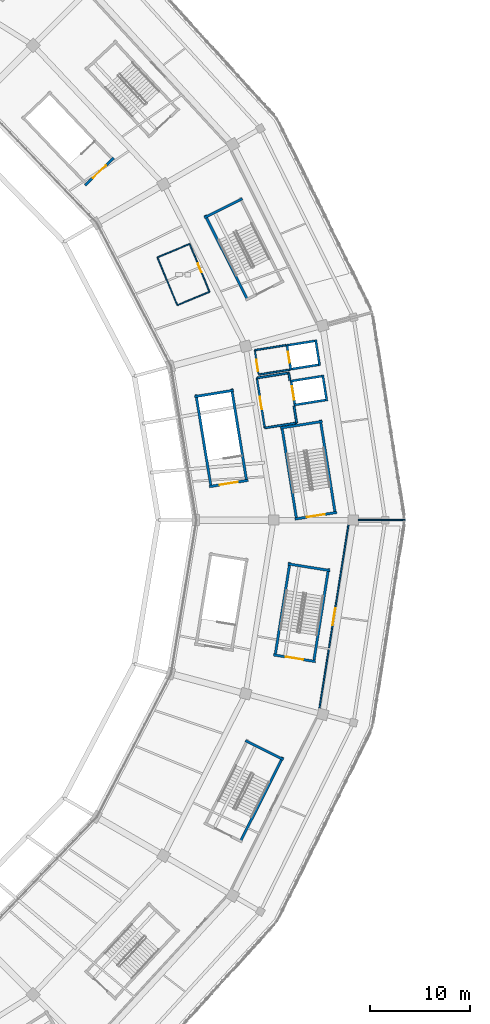
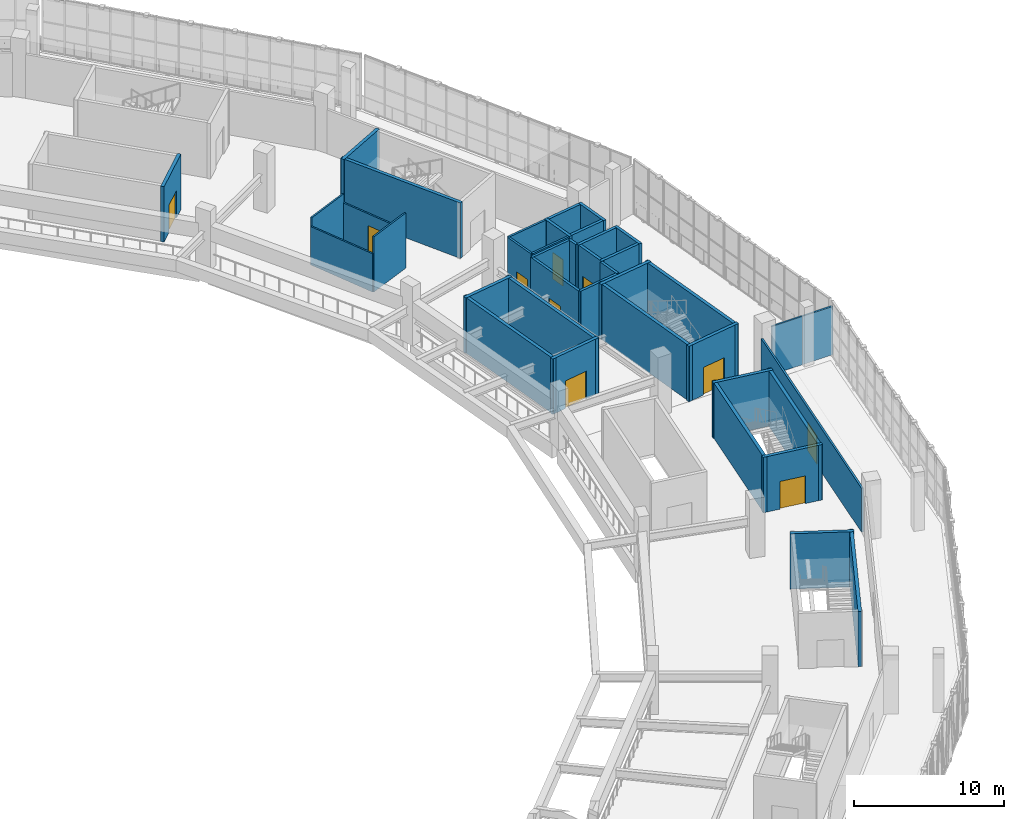
# One storey, part 105 of 179: 40 walls, 10 doors, 10 openings.
"""IFC4 building model written with IfcOpenShell, lengths in metres."""

from ifc_helpers import new_model, si_unit, direction, frame, frame_2d, origin, place, context, subcontext, project, spatial, rectangle, extrude, material, layer, layer_set, type_object, element, fill, save


model = new_model("IFC4")

# Units and contexts
model_context = context("Model", 3, precision=1e-05, world=origin(), true_north=direction((0.0, 1.0)))
body_context = subcontext(model_context, "Body", "Model", "MODEL_VIEW")
ifc_project = project(units=[si_unit("LENGTHUNIT", "METRE"), si_unit("AREAUNIT", "SQUARE_METRE"), si_unit("VOLUMEUNIT", "CUBIC_METRE"), si_unit("PLANEANGLEUNIT", "RADIAN"), si_unit("MASSUNIT", "GRAM", prefix="KILO")], contexts=[model_context])

# Site, building, storey
site_placement = place(None, origin())
site = spatial("IfcSite", under=ifc_project, at=site_placement, CompositionType="ELEMENT")
building_placement = place(site_placement, origin())
building = spatial("IfcBuilding", under=site, at=building_placement, Name="Zevraka Park Crest Stadium", CompositionType="ELEMENT")
storey_placement = place(building_placement, frame((0.0, 0.0, 10.199951171875)))
storey = spatial("IfcBuildingStorey", under=building, at=storey_placement, Name="L02", CompositionType="ELEMENT", Elevation=10.199951171875)

# Walls
ifc_material_1 = material(Name="Autoclaved aerated masonry blockwork", Category="masonry")
ifc_layer_1 = layer(ifc_material_1, 0.199951171875)
ifc_layer_set_1 = layer_set([ifc_layer_1], Name="Autoclaved aerated masonry blockwork")
wall_type_1 = type_object("IfcWallType", Name="IW01", PredefinedType="PARTITIONING", material=ifc_layer_set_1)
wall_1_placement = place(storey_placement, frame((195.81689453125, 106.743896484375, 0.0), z_axis=(0.0, 0.0, 1.0), x_axis=(0.157482870509, -0.987521719, 0.0)))
element("IfcWall", 1, at=wall_1_placement, inside=storey, type_object=wall_type_1, Name="Firefighting Lift Lobby Wall IW01 FL01 L02 BACKL", PredefinedType="PARTITIONING", context=body_context, shape_type="SweptSolid", body=[
    extrude(rectangle(XDim=0.750244140625, YDim=0.199951171875, at=frame_2d((0.375, 0.0))), origin(), (0.0, 0.0, 1.0), 4.47998046875),
])
wall_2_placement = place(storey_placement, frame((196.343017578125, 103.43603515625, 0.0), z_axis=(0.0, 0.0, 1.0), x_axis=(0.156960903537, -0.987604817101, 0.0)))
element("IfcWall", 2, at=wall_2_placement, inside=storey, type_object=wall_type_1, Name="Firefighting Lift Lobby Wall IW01 FL01 L02 BACKR", PredefinedType="PARTITIONING", context=body_context, shape_type="SweptSolid", body=[
    extrude(rectangle(XDim=1.72021484375, YDim=0.199951171875, at=frame_2d((0.860107421875, 0.0))), origin(), (0.0, 0.0, 1.0), 4.47998046875),
])
wall_3_placement = place(storey_placement, frame((195.81689453125, 106.743896484375, 0.0), z_axis=(0.0, 0.0, 1.0), x_axis=(-0.987633675984, -0.156779214382, 0.0)))
element("IfcWall", 3, at=wall_3_placement, inside=storey, type_object=wall_type_1, Name="Firefighting Lift Lobby Wall IW01 FL01 L02 LEFT", PredefinedType="PARTITIONING", context=body_context, shape_type="SweptSolid", body=[
    extrude(rectangle(XDim=3.239013671875, YDim=0.199951171875, at=frame_2d((1.61962890625, 0.0))), origin(), (0.0, 0.0, 1.0), 4.47998046875),
])
wall_4_placement = place(storey_placement, frame((196.613037109375, 101.737060546875, 0.0), z_axis=(0.0, 0.0, 1.0), x_axis=(-0.987629416648, -0.156806043797, 0.0)))
element("IfcWall", 4, at=wall_4_placement, inside=storey, type_object=wall_type_1, Name="Firefighting Lift Lobby Wall IW01 FL01 L02 RIGHT", PredefinedType="PARTITIONING", context=body_context, shape_type="SweptSolid", body=[
    extrude(rectangle(XDim=3.239990234375, YDim=0.199951171875, at=frame_2d((1.6201171875, 0.0))), origin(), (0.0, 0.0, 1.0), 4.47998046875),
])

# Wall, opening, door
wall_5_placement = place(storey_placement, frame((192.617919921875, 106.236083984375, 0.0), z_axis=(0.0, 0.0, 1.0), x_axis=(0.156842848291, -0.987623572491, 0.0)))
wall_5 = element("IfcWall", 5, at=wall_5_placement, inside=storey, type_object=wall_type_1, Name="Firefighting Lift Lobby Wall IW01 FL01 L02 FRONT", PredefinedType="PARTITIONING", context=body_context, shape_type="SweptSolid", body=[
    extrude(rectangle(XDim=5.06982421875, YDim=0.199951171875, at=frame_2d((2.534912109375, 0.0))), origin(), (0.0, 0.0, 1.0), 4.47998046875),
])
opening_1_placement = place(wall_5_placement, frame((1.909912109375, 0.0, 0.0)))
opening_1 = element("IfcOpeningElement", 6, at=opening_1_placement, cuts=wall_5, Name="Opening D-L02-285", PredefinedType="OPENING", context=body_context, shape_type="SweptSolid", body=[
    extrude(rectangle(XDim=1.25, YDim=2.199951171875, at=frame_2d((0.625, 1.10009765625))), frame((0.0, 0.10986328125, 0.0), z_axis=(0.0, -1.0, 0.0), x_axis=(1.0, 0.0, 0.0)), (0.0, 0.0, 1.0), 0.219970703125),
])
ifc_material_2 = material(Name="Solid-core hardwood timber leaf in steel frame", Category="steel")
door_type_1 = type_object("IfcDoorType", Name="DR07", OperationType="NOTDEFINED", PredefinedType="DOOR", material=ifc_material_2)
door_1_placement = place(opening_1_placement, origin())
door_1 = element("IfcDoor", 7, at=door_1_placement, inside=storey, type_object=door_type_1, Name="Firefighting Lift Lobby FL01 Door D-L02-285", OperationType="SINGLE_SWING_LEFT", OverallHeight=2.199951171875, OverallWidth=1.25, PredefinedType="DOOR", context=body_context, shape_type="SweptSolid", body=[
    extrude(rectangle(XDim=1.25, YDim=2.199951171875, at=frame_2d((0.625, 1.10009765625))), frame((0.0, 0.02490234375, 0.0), z_axis=(0.0, -1.0, 0.0), x_axis=(1.0, 0.0, 0.0)), (0.0, 0.0, 1.0), 0.050048828125),
])
fill(opening_1, door_1)

# Walls
ifc_material_3 = material(Name="Fire-rated twin-stud acoustic drywall", Category="other")
ifc_layer_2 = layer(ifc_material_3, 0.159912109375)
ifc_layer_set_2 = layer_set([ifc_layer_2], Name="Fire-rated twin-stud acoustic drywall")
wall_type_2 = type_object("IfcWallType", Name="IW02", PredefinedType="PARTITIONING", material=ifc_layer_set_2)
wall_6_placement = place(storey_placement, frame((195.547119140625, 109.527099609375, 0.0), z_axis=(0.0, 0.0, 1.0), x_axis=(-0.987632121619, -0.156789005818, 0.0)))
element("IfcWall", 8, at=wall_6_placement, inside=storey, type_object=wall_type_2, Name="Passenger Lift Lobby Wall IW02 PL01 L02 LEFT", PredefinedType="PARTITIONING", context=body_context, shape_type="SweptSolid", body=[
    extrude(rectangle(XDim=3.17041015625, YDim=0.159912109375, at=frame_2d((1.585205078125, 0.0))), origin(), (0.0, 0.0, 1.0), 4.47998046875),
])
wall_7_placement = place(storey_placement, frame((195.93603515625, 107.076904296875, 0.0), z_axis=(0.0, 0.0, 1.0), x_axis=(-0.987644043639, -0.156713889186, 0.0)))
element("IfcWall", 9, at=wall_7_placement, inside=storey, type_object=wall_type_2, Name="Passenger Lift Lobby Wall IW02 PL01 L02 RIGHT", PredefinedType="PARTITIONING", context=body_context, shape_type="SweptSolid", body=[
    extrude(rectangle(XDim=3.170166015625, YDim=0.159912109375, at=frame_2d((1.5849609375, 0.0))), origin(), (0.0, 0.0, 1.0), 4.47998046875),
])

# Wall, opening, door
wall_8_placement = place(storey_placement, frame((192.416015625, 109.030029296875, 0.0), z_axis=(0.0, 0.0, 1.0), x_axis=(0.156781258489, -0.987633351496, 0.0)))
wall_8 = element("IfcWall", 10, at=wall_8_placement, inside=storey, type_object=wall_type_2, Name="Passenger Lift Lobby Wall IW02 PL01 L02 FRONT", PredefinedType="PARTITIONING", context=body_context, shape_type="SweptSolid", body=[
    extrude(rectangle(XDim=2.480712890625, YDim=0.159912109375, at=frame_2d((1.240234375, 0.0))), origin(), (0.0, 0.0, 1.0), 4.47998046875),
])
opening_2_placement = place(wall_8_placement, frame((0.962890625, 0.0, 0.0)))
opening_2 = element("IfcOpeningElement", 11, at=opening_2_placement, cuts=wall_8, Name="Opening D-L02-291", PredefinedType="OPENING", context=body_context, shape_type="SweptSolid", body=[
    extrude(rectangle(XDim=1.14990234375, YDim=2.199951171875, at=frame_2d((0.574951171875, 1.10009765625))), frame((0.0, 0.08984375, 0.0), z_axis=(0.0, -1.0, 0.0), x_axis=(1.0, 0.0, 0.0)), (0.0, 0.0, 1.0), 0.179931640625),
])
ifc_material_4 = material(Name="Solid-core hardwood timber leaf in steel frame", Category="steel")
door_type_2 = type_object("IfcDoorType", Name="DR03", OperationType="NOTDEFINED", PredefinedType="DOOR", material=ifc_material_4)
door_2_placement = place(opening_2_placement, origin())
door_2 = element("IfcDoor", 12, at=door_2_placement, inside=storey, type_object=door_type_2, Name="Passenger Lift Lobby PL01 Door D-L02-291", OperationType="SINGLE_SWING_LEFT", OverallHeight=2.199951171875, OverallWidth=1.14990234375, PredefinedType="DOOR", context=body_context, shape_type="SweptSolid", body=[
    extrude(rectangle(XDim=1.14990234375, YDim=2.199951171875, at=frame_2d((0.574951171875, 1.10009765625))), frame((0.0, 0.02490234375, 0.0), z_axis=(0.0, -1.0, 0.0), x_axis=(1.0, 0.0, 0.0)), (0.0, 0.0, 1.0), 0.050048828125),
])
fill(opening_2, door_2)

ifc_material_5 = material(Name="Fire-rated twin-stud acoustic drywall", Category="other")
ifc_layer_3 = layer(ifc_material_5, 0.139892578125)
ifc_layer_set_3 = layer_set([ifc_layer_3], Name="Fire-rated twin-stud acoustic drywall")
wall_type_3 = type_object("IfcWallType", Name="IW03", PredefinedType="PARTITIONING", material=ifc_layer_set_3)
wall_9_placement = place(storey_placement, frame((198.89697265625, 73.1259765625, 0.0), z_axis=(0.0, 0.0, 1.0), x_axis=(0.156094739357, 0.987742087969, 0.0)))
wall_9 = element("IfcWall", 13, at=wall_9_placement, inside=storey, type_object=wall_type_3, Name="Interior Partition IW03 Stadium Administration Office L02", PredefinedType="PARTITIONING", context=body_context, shape_type="SweptSolid", body=[
    extrude(rectangle(XDim=18.591796875, YDim=0.139892578125, at=frame_2d((9.2958984375, 0.0))), origin(), (0.0, 0.0, 1.0), 3.56494140625),
])
opening_3_placement = place(wall_9_placement, frame((8.4208984375, 0.0, 0.0)))
opening_3 = element("IfcOpeningElement", 14, at=opening_3_placement, cuts=wall_9, Name="Opening D-L02-417", PredefinedType="OPENING", context=body_context, shape_type="SweptSolid", body=[
    extrude(rectangle(XDim=1.75, YDim=2.300048828125, at=frame_2d((0.875, 1.14990234375))), frame((0.0, 0.079833984375, 0.0), z_axis=(0.0, -1.0, 0.0), x_axis=(1.0, 0.0, 0.0)), (0.0, 0.0, 1.0), 0.159912109375),
])
ifc_material_6 = material(Name="Solid-core hardwood timber leaf in steel frame", Category="steel")
door_type_3 = type_object("IfcDoorType", Name="DR27", OperationType="NOTDEFINED", PredefinedType="DOOR", material=ifc_material_6)
door_3_placement = place(opening_3_placement, origin())
door_3 = element("IfcDoor", 15, at=door_3_placement, inside=storey, type_object=door_type_3, Name="Stadium Administration Office Door D-L02-417", OperationType="DOUBLE_DOOR_SINGLE_SWING", OverallHeight=2.300048828125, OverallWidth=1.75, PredefinedType="DOOR", context=body_context, shape_type="SweptSolid", body=[
    extrude(rectangle(XDim=1.75, YDim=2.300048828125, at=frame_2d((0.875, 1.14990234375))), frame((0.0, 0.02490234375, 0.0), z_axis=(0.0, -1.0, 0.0), x_axis=(1.0, 0.0, 0.0)), (0.0, 0.0, 1.0), 0.050048828125),
])
fill(opening_3, door_3)

# Walls
wall_10_placement = place(storey_placement, frame((202.81005859375, 92.0, 0.0), z_axis=(0.0, 0.0, 1.0), x_axis=(1.0, 0.0, 0.0)))
element("IfcWall", 16, at=wall_10_placement, inside=storey, type_object=wall_type_3, Name="Interior Partition IW03 Stadium Administration Office L02", PredefinedType="PARTITIONING", context=body_context, shape_type="SweptSolid", body=[
    extrude(rectangle(XDim=2.329833984375, YDim=0.139892578125, at=frame_2d((1.1650390625, 0.0))), origin(), (0.0, 0.0, 1.0), 3.9150390625),
])
wall_11_placement = place(storey_placement, frame((205.125, 92.0, 0.0), z_axis=(0.0, 0.0, 1.0), x_axis=(1.0, 0.0, 0.0)))
element("IfcWall", 17, at=wall_11_placement, inside=storey, type_object=wall_type_3, Name="Interior Partition IW03 Stadium Administration Office L02", PredefinedType="PARTITIONING", context=body_context, shape_type="SweptSolid", body=[
    extrude(rectangle(XDim=2.375, YDim=0.139892578125, at=frame_2d((1.1875, 0.0))), origin(), (0.0, 0.0, 1.0), 3.9150390625),
])
ifc_material_7 = material(Name="Moisture-resistant sanitary partition", Category="other")
ifc_layer_4 = layer(ifc_material_7, 0.1201171875)
ifc_layer_set_4 = layer_set([ifc_layer_4], Name="Moisture-resistant sanitary partition")
wall_type_4 = type_object("IfcWallType", Name="IW04", PredefinedType="PARTITIONING", material=ifc_layer_set_4)
wall_12_placement = place(storey_placement, frame((184.64208984375, 113.534912109375, 0.0), z_axis=(0.0, 0.0, 1.0), x_axis=(-0.38268766097, 0.923877780955, 0.0)))
element("IfcWall", 18, at=wall_12_placement, inside=storey, type_object=wall_type_4, Name="Sanitary Enclosure Wall IW04 Male WC L02-001-1", PredefinedType="PARTITIONING", context=body_context, shape_type="SweptSolid", body=[
    extrude(rectangle(XDim=5.199951171875, YDim=0.1201171875, at=frame_2d((2.60009765625, 0.0))), origin(), (0.0, 0.0, 1.0), 3.113037109375),
])
wall_13_placement = place(storey_placement, frame((182.652099609375, 118.339111328125, 0.0), z_axis=(0.0, 0.0, 1.0), x_axis=(0.923904592733, 0.382622926034, 0.0)))
element("IfcWall", 19, at=wall_13_placement, inside=storey, type_object=wall_type_4, Name="Sanitary Enclosure Wall IW04 Male WC L02-001-2", PredefinedType="PARTITIONING", context=body_context, shape_type="SweptSolid", body=[
    extrude(rectangle(XDim=3.499267578125, YDim=0.1201171875, at=frame_2d((1.74951171875, 0.0))), origin(), (0.0, 0.0, 1.0), 3.81494140625),
])

# Wall, opening, door
wall_14_placement = place(storey_placement, frame((185.885009765625, 119.677978515625, 0.0), z_axis=(0.0, 0.0, 1.0), x_axis=(0.382704261034, -0.923870904719, 0.0)))
wall_14 = element("IfcWall", 20, at=wall_14_placement, inside=storey, type_object=wall_type_4, Name="Sanitary Enclosure Wall IW04 Male WC L02-001-3", PredefinedType="PARTITIONING", context=body_context, shape_type="SweptSolid", body=[
    extrude(rectangle(XDim=5.19970703125, YDim=0.1201171875, at=frame_2d((2.599853515625, 0.0))), origin(), (0.0, 0.0, 1.0), 3.113037109375),
])
opening_4_placement = place(wall_14_placement, frame((2.125, 0.0, 0.0)))
opening_4 = element("IfcOpeningElement", 21, at=opening_4_placement, cuts=wall_14, Name="Opening D-L02-343", PredefinedType="OPENING", context=body_context, shape_type="SweptSolid", body=[
    extrude(rectangle(XDim=0.949951171875, YDim=2.14990234375, at=frame_2d((0.47509765625, 1.074951171875))), frame((0.0, 0.070068359375, 0.0), z_axis=(0.0, -1.0, 0.0), x_axis=(1.0, 0.0, 0.0)), (0.0, 0.0, 1.0), 0.14013671875),
])
ifc_material_8 = material(Name="Solid-core hardwood timber leaf in steel frame", Category="steel")
door_type_4 = type_object("IfcDoorType", Name="DR08", OperationType="NOTDEFINED", PredefinedType="DOOR", material=ifc_material_8)
door_4_placement = place(opening_4_placement, origin())
door_4 = element("IfcDoor", 22, at=door_4_placement, inside=storey, type_object=door_type_4, Name="Male WC Door D-L02-343", OperationType="SINGLE_SWING_LEFT", OverallHeight=2.14990234375, OverallWidth=0.949951171875, PredefinedType="DOOR", context=body_context, shape_type="SweptSolid", body=[
    extrude(rectangle(XDim=0.949951171875, YDim=2.14990234375, at=frame_2d((0.47509765625, 1.074951171875))), frame((0.0, 0.02490234375, 0.0), z_axis=(0.0, -1.0, 0.0), x_axis=(1.0, 0.0, 0.0)), (0.0, 0.0, 1.0), 0.050048828125),
])
fill(opening_4, door_4)

# Walls
wall_15_placement = place(storey_placement, frame((187.875, 114.8740234375, 0.0), z_axis=(0.0, 0.0, 1.0), x_axis=(-0.923879927009, -0.382682479961, 0.0)))
element("IfcWall", 23, at=wall_15_placement, inside=storey, type_object=wall_type_4, Name="Sanitary Enclosure Wall IW04 Male WC L02-001-4", PredefinedType="PARTITIONING", context=body_context, shape_type="SweptSolid", body=[
    extrude(rectangle(XDim=3.499267578125, YDim=0.1201171875, at=frame_2d((1.74951171875, 0.0))), origin(), (0.0, 0.0, 1.0), 4.47998046875),
])
ifc_material_9 = material(Name="Concrete C40/50", Category="concrete")
ifc_layer_5 = layer(ifc_material_9, 0.25)
ifc_layer_set_5 = layer_set([ifc_layer_5], Name="Concrete C40/50")
wall_type_5 = type_object("IfcWallType", Name="SW01", PredefinedType="SHEAR", material=ifc_layer_set_5)
for number, where, z_axis, x_axis, name in (
    (24, (200.486328125, 92.611572265625, 0.0), (0.0, 0.0, 1.0), (-0.157268610044, 0.987555863886, 0.0), "Stair Core Shear Wall SW01 ST01 L02 left"),
    (25, (195.11328125, 101.426513671875, 0.0), (0.0, 0.0, 1.0), (0.157243678356, -0.987559833943, 0.0), "Stair Core Shear Wall SW01 ST01 L02 right"),
):
    element("IfcWall", number, at=place(storey_placement, frame(where, z_axis=z_axis, x_axis=x_axis)), inside=storey, type_object=wall_type_5, Name=name, PredefinedType="SHEAR", context=body_context, shape_type="SweptSolid", body=[
        extrude(rectangle(XDim=9.55029296875, YDim=0.25, at=frame_2d((4.775146484375, 0.0))), origin(), (0.0, 0.0, 1.0), 4.5),
    ])

# Wall, opening, door
wall_16_placement = place(storey_placement, frame((196.427490234375, 92.092041015625, 0.0), z_axis=(0.0, 0.0, 1.0), x_axis=(0.987557660991, 0.157257324847, 0.0)))
wall_16 = element("IfcWall", 26, at=wall_16_placement, inside=storey, type_object=wall_type_5, Name="Stair Core Shear Wall SW01 ST01 L02 near", PredefinedType="SHEAR", context=body_context, shape_type="SweptSolid", body=[
    extrude(rectangle(XDim=4.260009765625, YDim=0.25, at=frame_2d((2.1298828125, 0.0))), origin(), (0.0, 0.0, 1.0), 4.5),
])
opening_5_placement = place(wall_16_placement, frame((1.22998046875, 0.0, 0.0)))
opening_5 = element("IfcOpeningElement", 27, at=opening_5_placement, cuts=wall_16, Name="Opening D-L02-004", PredefinedType="OPENING", context=body_context, shape_type="SweptSolid", body=[
    extrude(rectangle(XDim=1.800048828125, YDim=2.25, at=frame_2d((0.89990234375, 1.125))), frame((0.0, 0.135009765625, 0.0), z_axis=(0.0, -1.0, 0.0), x_axis=(1.0, 0.0, 0.0)), (0.0, 0.0, 1.0), 0.27001953125),
])
ifc_material_10 = material(Name="Solid-core hardwood timber leaf in steel frame", Category="steel")
door_type_5 = type_object("IfcDoorType", Name="DR04", OperationType="NOTDEFINED", PredefinedType="DOOR", material=ifc_material_10)
door_5_placement = place(opening_5_placement, origin())
door_5 = element("IfcDoor", 28, at=door_5_placement, inside=storey, type_object=door_type_5, Name="Protected Stair Entry Door ST01 L02", OperationType="DOUBLE_DOOR_SINGLE_SWING", OverallHeight=2.25, OverallWidth=1.800048828125, PredefinedType="DOOR", context=body_context, shape_type="SweptSolid", body=[
    extrude(rectangle(XDim=1.800048828125, YDim=2.25, at=frame_2d((0.89990234375, 1.125))), frame((0.0, 0.02490234375, 0.0), z_axis=(0.0, -1.0, 0.0), x_axis=(1.0, 0.0, 0.0)), (0.0, 0.0, 1.0), 0.050048828125),
])
fill(opening_5, door_5)

# Walls
wall_17_placement = place(storey_placement, frame((199.181396484375, 101.886962890625, 0.0), z_axis=(0.0, 0.0, 1.0), x_axis=(-0.987557660991, -0.157257324847, 0.0)))
element("IfcWall", 29, at=wall_17_placement, inside=storey, type_object=wall_type_5, Name="Stair Core Shear Wall SW01 ST01 L02 far", PredefinedType="SHEAR", context=body_context, shape_type="SweptSolid", body=[
    extrude(rectangle(XDim=4.260009765625, YDim=0.25, at=frame_2d((2.1298828125, 0.0))), origin(), (0.0, 0.0, 1.0), 4.5),
])
wall_18_placement = place(storey_placement, frame((187.43212890625, 122.556884765625, 0.0), z_axis=(0.0, 0.0, 1.0), x_axis=(0.447919041961, -0.894074119885, 0.0)))
element("IfcWall", 30, at=wall_18_placement, inside=storey, type_object=wall_type_5, Name="Stair Core Shear Wall SW01 ST02 L02 right", PredefinedType="SHEAR", context=body_context, shape_type="SweptSolid", body=[
    extrude(rectangle(XDim=9.5498046875, YDim=0.25, at=frame_2d((4.77490234375, 0.0))), origin(), (0.0, 0.0, 1.0), 4.5),
])
wall_19_placement = place(storey_placement, frame((191.171875, 124.223388671875, 0.0), z_axis=(0.0, 0.0, 1.0), x_axis=(-0.89409454548, -0.447878268888, 0.0)))
element("IfcWall", 31, at=wall_19_placement, inside=storey, type_object=wall_type_5, Name="Stair Core Shear Wall SW01 ST02 L02 far", PredefinedType="SHEAR", context=body_context, shape_type="SweptSolid", body=[
    extrude(rectangle(XDim=4.260009765625, YDim=0.25, at=frame_2d((2.1298828125, 0.0))), origin(), (0.0, 0.0, 1.0), 4.5),
])
wall_20_placement = place(storey_placement, frame((190.9365234375, 59.686767578125, 0.0), z_axis=(0.0, 0.0, 1.0), x_axis=(0.447919041961, 0.894074119885, 0.0)))
element("IfcWall", 32, at=wall_20_placement, inside=storey, type_object=wall_type_5, Name="Stair Core Shear Wall SW01 ST23 L02 left", PredefinedType="SHEAR", context=body_context, shape_type="SweptSolid", body=[
    extrude(rectangle(XDim=9.5498046875, YDim=0.25, at=frame_2d((4.77490234375, 0.0))), origin(), (0.0, 0.0, 1.0), 4.5),
])
wall_21_placement = place(storey_placement, frame((195.283203125, 67.983642578125, 0.0), z_axis=(0.0, 0.0, 1.0), x_axis=(-0.894083048484, 0.447901219481, 0.0)))
element("IfcWall", 33, at=wall_21_placement, inside=storey, type_object=wall_type_5, Name="Stair Core Shear Wall SW01 ST23 L02 far", PredefinedType="SHEAR", context=body_context, shape_type="SweptSolid", body=[
    extrude(rectangle(XDim=4.259765625, YDim=0.25, at=frame_2d((2.1298828125, 0.0))), origin(), (0.0, 0.0, 1.0), 4.5),
])
for number, where, z_axis, x_axis, name in (
    (34, (198.30859375, 77.71044921875, 0.0), (0.0, 0.0, 1.0), (0.157272580499, 0.987555231581, 0.0), "Stair Core Shear Wall SW01 ST24 L02 left"),
    (35, (195.939208984375, 87.758056640625, 0.0), (0.0, 0.0, 1.0), (-0.157247648214, -0.987559201836, 0.0), "Stair Core Shear Wall SW01 ST24 L02 right"),
):
    element("IfcWall", number, at=place(storey_placement, frame(where, z_axis=z_axis, x_axis=x_axis)), inside=storey, type_object=wall_type_5, Name=name, PredefinedType="SHEAR", context=body_context, shape_type="SweptSolid", body=[
        extrude(rectangle(XDim=9.550048828125, YDim=0.25, at=frame_2d((4.77490234375, 0.0))), origin(), (0.0, 0.0, 1.0), 4.5),
    ])

# Wall, opening, door
wall_22_placement = place(storey_placement, frame((194.289306640625, 78.477294921875, 0.0), z_axis=(0.0, 0.0, 1.0), x_axis=(0.987548759282, -0.157313216355, 0.0)))
wall_22 = element("IfcWall", 36, at=wall_22_placement, inside=storey, type_object=wall_type_5, Name="Stair Core Shear Wall SW01 ST24 L02 near", PredefinedType="SHEAR", context=body_context, shape_type="SweptSolid", body=[
    extrude(rectangle(XDim=4.260009765625, YDim=0.25, at=frame_2d((2.1298828125, 0.0))), origin(), (0.0, 0.0, 1.0), 4.5),
])
opening_6_placement = place(wall_22_placement, frame((1.22998046875, 0.0, 0.0)))
opening_6 = element("IfcOpeningElement", 37, at=opening_6_placement, cuts=wall_22, Name="Opening D-L02-143", PredefinedType="OPENING", context=body_context, shape_type="SweptSolid", body=[
    extrude(rectangle(XDim=1.800048828125, YDim=2.25, at=frame_2d((0.89990234375, 1.125))), frame((0.0, 0.135009765625, 0.0), z_axis=(0.0, -1.0, 0.0), x_axis=(1.0, 0.0, 0.0)), (0.0, 0.0, 1.0), 0.27001953125),
])
door_6_placement = place(opening_6_placement, origin())
door_6 = element("IfcDoor", 38, at=door_6_placement, inside=storey, type_object=door_type_5, Name="Protected Stair Entry Door ST24 L02", OperationType="DOUBLE_DOOR_SINGLE_SWING", OverallHeight=2.25, OverallWidth=1.800048828125, PredefinedType="DOOR", context=body_context, shape_type="SweptSolid", body=[
    extrude(rectangle(XDim=1.800048828125, YDim=2.25, at=frame_2d((0.89990234375, 1.125))), frame((0.0, 0.02490234375, 0.0), z_axis=(0.0, -1.0, 0.0), x_axis=(1.0, 0.0, 0.0)), (0.0, 0.0, 1.0), 0.050048828125),
])
fill(opening_6, door_6)

# Walls
wall_23_placement = place(storey_placement, frame((199.94921875, 86.932373046875, 0.0), z_axis=(0.0, 0.0, 1.0), x_axis=(-0.987556243614, 0.157266225551, 0.0)))
element("IfcWall", 39, at=wall_23_placement, inside=storey, type_object=wall_type_5, Name="Stair Core Shear Wall SW01 ST24 L02 far", PredefinedType="SHEAR", context=body_context, shape_type="SweptSolid", body=[
    extrude(rectangle(XDim=4.259765625, YDim=0.25, at=frame_2d((2.1298828125, 0.0))), origin(), (0.0, 0.0, 1.0), 4.5),
])
wall_24_placement = place(storey_placement, frame((191.610107421875, 95.83203125, 0.0), z_axis=(0.0, 0.0, 1.0), x_axis=(-0.160694331821, 0.987004220721, 0.0)))
element("IfcWall", 40, at=wall_24_placement, inside=storey, type_object=wall_type_5, Name="Stair Core Shear Wall SW01 ST33 L02 left", PredefinedType="SHEAR", context=body_context, shape_type="SweptSolid", body=[
    extrude(rectangle(XDim=9.449951171875, YDim=0.25, at=frame_2d((4.72509765625, 0.0))), origin(), (0.0, 0.0, 1.0), 4.5),
])
wall_25_placement = place(storey_placement, frame((186.5185546875, 104.57763671875, 0.0), z_axis=(0.0, 0.0, 1.0), x_axis=(0.160690234322, -0.987004887827, 0.0)))
element("IfcWall", 41, at=wall_25_placement, inside=storey, type_object=wall_type_5, Name="Stair Core Shear Wall SW01 ST33 L02 right", PredefinedType="SHEAR", context=body_context, shape_type="SweptSolid", body=[
    extrude(rectangle(XDim=9.4501953125, YDim=0.25, at=frame_2d((4.72509765625, 0.0))), origin(), (0.0, 0.0, 1.0), 4.5),
])

# Wall, opening, door
wall_26_placement = place(storey_placement, frame((187.849365234375, 95.346435546875, 0.0), z_axis=(0.0, 0.0, 1.0), x_axis=(0.986998628025, 0.160728679072, 0.0)))
wall_26 = element("IfcWall", 42, at=wall_26_placement, inside=storey, type_object=wall_type_5, Name="Stair Core Shear Wall SW01 ST33 L02 near", PredefinedType="SHEAR", context=body_context, shape_type="SweptSolid", body=[
    extrude(rectangle(XDim=3.9599609375, YDim=0.25, at=frame_2d((1.97998046875, 0.0))), origin(), (0.0, 0.0, 1.0), 4.5),
])
opening_7_placement = place(wall_26_placement, frame((1.080078125, 0.0, 0.0)))
opening_7 = element("IfcOpeningElement", 43, at=opening_7_placement, cuts=wall_26, Name="Opening D-L02-188", PredefinedType="OPENING", context=body_context, shape_type="SweptSolid", body=[
    extrude(rectangle(XDim=1.800048828125, YDim=2.25, at=frame_2d((0.89990234375, 1.125))), frame((0.0, 0.135009765625, 0.0), z_axis=(0.0, -1.0, 0.0), x_axis=(1.0, 0.0, 0.0)), (0.0, 0.0, 1.0), 0.27001953125),
])
door_7_placement = place(opening_7_placement, origin())
door_7 = element("IfcDoor", 44, at=door_7_placement, inside=storey, type_object=door_type_5, Name="Protected Stair Entry Door ST33 L02", OperationType="DOUBLE_DOOR_SINGLE_SWING", OverallHeight=2.25, OverallWidth=1.800048828125, PredefinedType="DOOR", context=body_context, shape_type="SweptSolid", body=[
    extrude(rectangle(XDim=1.800048828125, YDim=2.25, at=frame_2d((0.89990234375, 1.125))), frame((0.0, 0.02490234375, 0.0), z_axis=(0.0, -1.0, 0.0), x_axis=(1.0, 0.0, 0.0)), (0.0, 0.0, 1.0), 0.050048828125),
])
fill(opening_7, door_7)

# Wall
wall_27_placement = place(storey_placement, frame((190.2890625, 105.00390625, 0.0), z_axis=(0.0, 0.0, 1.0), x_axis=(-0.987009998221, -0.160658841684, 0.0)))
element("IfcWall", 45, at=wall_27_placement, inside=storey, type_object=wall_type_5, Name="Stair Core Shear Wall SW01 ST33 L02 far", PredefinedType="SHEAR", context=body_context, shape_type="SweptSolid", body=[
    extrude(rectangle(XDim=3.960205078125, YDim=0.25, at=frame_2d((1.97998046875, 0.0))), origin(), (0.0, 0.0, 1.0), 4.5),
])

# Wall, opening, door
wall_28_placement = place(storey_placement, frame((175.396728515625, 125.565673828125, 0.0), z_axis=(0.0, 0.0, 1.0), x_axis=(0.725390288694, 0.688337801569, 0.0)))
wall_28 = element("IfcWall", 46, at=wall_28_placement, inside=storey, type_object=wall_type_5, Name="Stair Core Shear Wall SW01 ST34 L02 near", PredefinedType="SHEAR", context=body_context, shape_type="SweptSolid", body=[
    extrude(rectangle(XDim=3.9599609375, YDim=0.25, at=frame_2d((1.97998046875, 0.0))), origin(), (0.0, 0.0, 1.0), 4.5),
])
opening_8_placement = place(wall_28_placement, frame((1.080078125, 0.0, 0.0)))
opening_8 = element("IfcOpeningElement", 47, at=opening_8_placement, cuts=wall_28, Name="Opening D-L02-192", PredefinedType="OPENING", context=body_context, shape_type="SweptSolid", body=[
    extrude(rectangle(XDim=1.800048828125, YDim=2.25, at=frame_2d((0.89990234375, 1.125))), frame((0.0, 0.135009765625, 0.0), z_axis=(0.0, -1.0, 0.0), x_axis=(1.0, 0.0, 0.0)), (0.0, 0.0, 1.0), 0.27001953125),
])
door_8_placement = place(opening_8_placement, origin())
door_8 = element("IfcDoor", 48, at=door_8_placement, inside=storey, type_object=door_type_5, Name="Protected Stair Entry Door ST34 L02", OperationType="DOUBLE_DOOR_SINGLE_SWING", OverallHeight=2.25, OverallWidth=1.800048828125, PredefinedType="DOOR", context=body_context, shape_type="SweptSolid", body=[
    extrude(rectangle(XDim=1.800048828125, YDim=2.25, at=frame_2d((0.89990234375, 1.125))), frame((0.0, 0.02490234375, 0.0), z_axis=(0.0, -1.0, 0.0), x_axis=(1.0, 0.0, 0.0)), (0.0, 0.0, 1.0), 0.050048828125),
])
fill(opening_8, door_8)

# Walls
ifc_material_11 = material(Name="Concrete C40/50", Category="concrete")
ifc_layer_6 = layer(ifc_material_11, 0.219970703125)
ifc_layer_set_6 = layer_set([ifc_layer_6], Name="Concrete C40/50")
wall_type_6 = type_object("IfcWallType", Name="SW02", PredefinedType="SHEAR", material=ifc_layer_set_6)
wall_29_placement = place(storey_placement, frame((199.635009765625, 103.93701171875, 0.0), z_axis=(0.0, 0.0, 1.0), x_axis=(-0.156807626334, 0.987629165387, 0.0)))
element("IfcWall", 49, at=wall_29_placement, inside=storey, type_object=wall_type_6, Name="Lift Shaft Shear Wall SW02 FL01 L02-1", PredefinedType="SHEAR", context=body_context, shape_type="SweptSolid", body=[
    extrude(rectangle(XDim=2.640625, YDim=0.219970703125, at=frame_2d((1.3203125, 0.0))), origin(), (0.0, 0.0, 1.0), 4.5),
])
wall_30_placement = place(storey_placement, frame((199.346923828125, 106.452880859375, 0.0), z_axis=(0.0, 0.0, 1.0), x_axis=(-0.987703627881, -0.156337914372, 0.0)))
element("IfcWall", 50, at=wall_30_placement, inside=storey, type_object=wall_type_6, Name="Lift Shaft Shear Wall SW02 FL01 L02-2", PredefinedType="SHEAR", context=body_context, shape_type="SweptSolid", body=[
    extrude(rectangle(XDim=3.440185546875, YDim=0.219970703125, at=frame_2d((1.72021484375, 0.0))), origin(), (0.0, 0.0, 1.0), 4.5),
])

# Wall, opening, door
wall_31_placement = place(storey_placement, frame((196.041015625, 106.041015625, 0.0), z_axis=(0.0, 0.0, 1.0), x_axis=(0.156807626334, -0.987629165387, 0.0)))
wall_31 = element("IfcWall", 51, at=wall_31_placement, inside=storey, type_object=wall_type_6, Name="Lift Shaft Shear Wall SW02 FL01 L02-3", PredefinedType="SHEAR", context=body_context, shape_type="SweptSolid", body=[
    extrude(rectangle(XDim=2.640625, YDim=0.219970703125, at=frame_2d((1.3203125, 0.0))), origin(), (0.0, 0.0, 1.0), 4.5),
])
opening_9_placement = place(wall_31_placement, frame((0.6201171875, 0.0, 0.0)))
opening_9 = element("IfcOpeningElement", 52, at=opening_9_placement, cuts=wall_31, Name="Opening LD-FL01-L02", PredefinedType="OPENING", context=body_context, shape_type="SweptSolid", body=[
    extrude(rectangle(XDim=1.39990234375, YDim=2.199951171875, at=frame_2d((0.699951171875, 1.10009765625))), frame((0.0, 0.119873046875, 0.0), z_axis=(0.0, -1.0, 0.0), x_axis=(1.0, 0.0, 0.0)), (0.0, 0.0, 1.0), 0.239990234375),
])
ifc_material_12 = material(Name="Brushed stainless steel lift landing doors", Category="steel")
door_type_6 = type_object("IfcDoorType", Name="LD01", OperationType="NOTDEFINED", PredefinedType="DOOR", material=ifc_material_12)
door_9_placement = place(opening_9_placement, origin())
door_9 = element("IfcDoor", 53, at=door_9_placement, inside=storey, type_object=door_type_6, Name="Lift Sliding Landing Door LD-FL01-L02", OperationType="SLIDING_TO_LEFT", OverallHeight=2.199951171875, OverallWidth=1.39990234375, PredefinedType="DOOR", context=body_context, shape_type="SweptSolid", body=[
    extrude(rectangle(XDim=1.39990234375, YDim=2.199951171875, at=frame_2d((0.699951171875, 1.10009765625))), frame((0.0, 0.02490234375, 0.0), z_axis=(0.0, -1.0, 0.0), x_axis=(1.0, 0.0, 0.0)), (0.0, 0.0, 1.0), 0.050048828125),
])
fill(opening_9, door_9)

# Walls
wall_32_placement = place(storey_placement, frame((196.3291015625, 103.52490234375, 0.0), z_axis=(0.0, 0.0, 1.0), x_axis=(0.987692667337, 0.156407144619, 0.0)))
element("IfcWall", 54, at=wall_32_placement, inside=storey, type_object=wall_type_6, Name="Lift Shaft Shear Wall SW02 FL01 L02-4", PredefinedType="SHEAR", context=body_context, shape_type="SweptSolid", body=[
    extrude(rectangle(XDim=3.440185546875, YDim=0.219970703125, at=frame_2d((1.72021484375, 0.0))), origin(), (0.0, 0.0, 1.0), 4.5),
])
wall_33_placement = place(storey_placement, frame((198.922119140625, 107.469970703125, 0.0), z_axis=(0.0, 0.0, 1.0), x_axis=(-0.156807626334, 0.987629165387, 0.0)))
element("IfcWall", 55, at=wall_33_placement, inside=storey, type_object=wall_type_6, Name="Lift Shaft Shear Wall SW02 PL01 L02-1", PredefinedType="SHEAR", context=body_context, shape_type="SweptSolid", body=[
    extrude(rectangle(XDim=2.640625, YDim=0.219970703125, at=frame_2d((1.3203125, 0.0))), origin(), (0.0, 0.0, 1.0), 4.5),
])
wall_34_placement = place(storey_placement, frame((198.634033203125, 109.986083984375, 0.0), z_axis=(0.0, 0.0, 1.0), x_axis=(-0.987645460109, -0.156704962032, 0.0)))
element("IfcWall", 56, at=wall_34_placement, inside=storey, type_object=wall_type_6, Name="Lift Shaft Shear Wall SW02 PL01 L02-2", PredefinedType="SHEAR", context=body_context, shape_type="SweptSolid", body=[
    extrude(rectangle(XDim=3.140869140625, YDim=0.219970703125, at=frame_2d((1.5703125, 0.0))), origin(), (0.0, 0.0, 1.0), 4.5),
])

# Wall, opening, door
wall_35_placement = place(storey_placement, frame((195.6240234375, 109.6201171875, 0.0), z_axis=(0.0, 0.0, 1.0), x_axis=(0.156793308963, -0.987631438475, 0.0)))
wall_35 = element("IfcWall", 57, at=wall_35_placement, inside=storey, type_object=wall_type_6, Name="Lift Shaft Shear Wall SW02 PL01 L02-3", PredefinedType="SHEAR", context=body_context, shape_type="SweptSolid", body=[
    extrude(rectangle(XDim=2.640869140625, YDim=0.219970703125, at=frame_2d((1.3203125, 0.0))), origin(), (0.0, 0.0, 1.0), 4.5),
])
opening_10_placement = place(wall_35_placement, frame((0.77001953125, 0.0, 0.0)))
opening_10 = element("IfcOpeningElement", 58, at=opening_10_placement, cuts=wall_35, Name="Opening LD-PL01-L02", PredefinedType="OPENING", context=body_context, shape_type="SweptSolid", body=[
    extrude(rectangle(XDim=1.10009765625, YDim=2.14990234375, at=frame_2d((0.550048828125, 1.074951171875))), frame((0.0, 0.119873046875, 0.0), z_axis=(0.0, -1.0, 0.0), x_axis=(1.0, 0.0, 0.0)), (0.0, 0.0, 1.0), 0.239990234375),
])
ifc_material_13 = material(Name="Brushed stainless steel lift landing doors", Category="steel")
door_type_7 = type_object("IfcDoorType", Name="LD02", OperationType="NOTDEFINED", PredefinedType="DOOR", material=ifc_material_13)
door_10_placement = place(opening_10_placement, origin())
door_10 = element("IfcDoor", 59, at=door_10_placement, inside=storey, type_object=door_type_7, Name="Lift Sliding Landing Door LD-PL01-L02", OperationType="SLIDING_TO_LEFT", OverallHeight=2.14990234375, OverallWidth=1.10009765625, PredefinedType="DOOR", context=body_context, shape_type="SweptSolid", body=[
    extrude(rectangle(XDim=1.10009765625, YDim=2.14990234375, at=frame_2d((0.550048828125, 1.074951171875))), frame((0.0, 0.02490234375, 0.0), z_axis=(0.0, -1.0, 0.0), x_axis=(1.0, 0.0, 0.0)), (0.0, 0.0, 1.0), 0.050048828125),
])
fill(opening_10, door_10)

# Wall
wall_36_placement = place(storey_placement, frame((195.912109375, 107.10400390625, 0.0), z_axis=(0.0, 0.0, 1.0), x_axis=(0.98765558045, 0.156641164471, 0.0)))
element("IfcWall", 60, at=wall_36_placement, inside=storey, type_object=wall_type_6, Name="Lift Shaft Shear Wall SW02 PL01 L02-4", PredefinedType="SHEAR", context=body_context, shape_type="SweptSolid", body=[
    extrude(rectangle(XDim=3.140625, YDim=0.219970703125, at=frame_2d((1.5703125, 0.0))), origin(), (0.0, 0.0, 1.0), 4.5),
])

save(model, "model.ifc")
